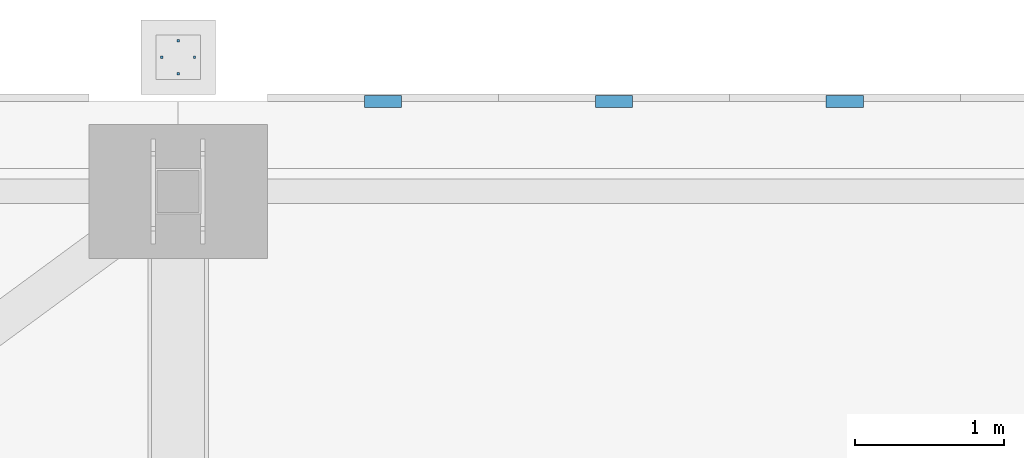
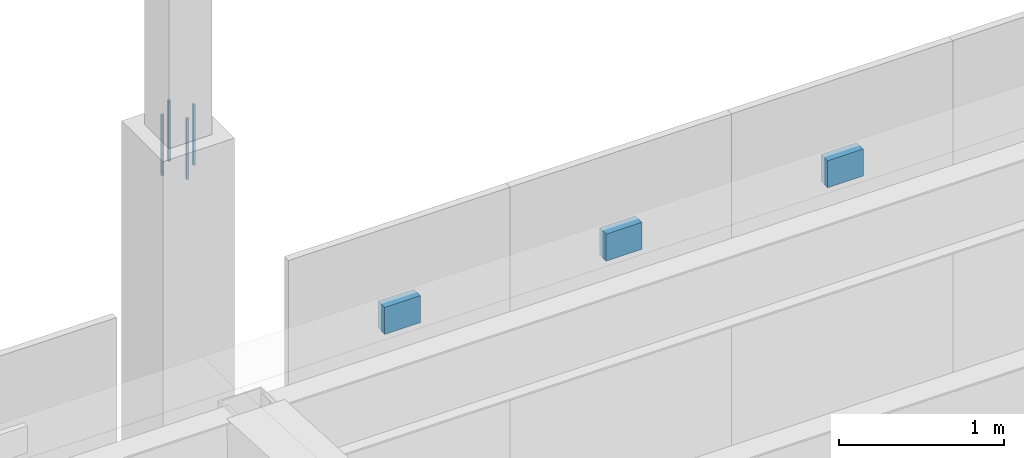
# One storey, part 243 of 278: 4 mechanical fasteners, 3 discrete accessories.
"""IFC4 building model written with IfcOpenShell, lengths in metres."""

from ifc_helpers import new_model, si_unit, direction, frame, origin, origin_2d, place, context, subcontext, project, spatial, rectangle, extrude, material, layer, layer_set, type_object, element, save


model = new_model("IFC4")

# Units and contexts
model_context = context("Model", 3, precision=1e-05, world=origin(), true_north=direction((0.0, 1.0)))
body_context = subcontext(model_context, "Body", "Model", "MODEL_VIEW")
ifc_project = project(units=[si_unit("LENGTHUNIT", "METRE"), si_unit("AREAUNIT", "SQUARE_METRE"), si_unit("VOLUMEUNIT", "CUBIC_METRE"), si_unit("PLANEANGLEUNIT", "RADIAN"), si_unit("MASSUNIT", "GRAM", prefix="KILO")], contexts=[model_context])

# Site, building, storey
site_placement = place(None, origin())
site = spatial("IfcSite", under=ifc_project, at=site_placement, CompositionType="ELEMENT")
building_placement = place(site_placement, origin())
building = spatial("IfcBuilding", under=site, at=building_placement, Name="Ogive Plaza Stadium", CompositionType="ELEMENT")
storey_placement = place(building_placement, frame((0.0, 0.0, 29.0)))
storey = spatial("IfcBuildingStorey", under=building, at=storey_placement, Name="Roof", CompositionType="ELEMENT", Elevation=29.0)

# Mechanical fasteners
ifc_material_1 = material(Name="Steel ASTM A992 Grade 50", Category="steel")
mechanical_fastener_type = type_object("IfcMechanicalFastenerType", Name="Spire anchor bolt M16 x 450", PredefinedType="ANCHORBOLT", material=ifc_material_1)
for number, where, z_axis, x_axis, name in (
    (1, (20.39990234375, 103.510009765625, 6.7001953125), (0.0, 0.0, 1.0), (0.0, 1.0, 0.0), "SPIRE ANCHOR BOLT 36 1"),
    (2, (20.39990234375, 103.2900390625, 6.7001953125), (0.0, 0.0, 1.0), (0.0, 1.0, 0.0), "SPIRE ANCHOR BOLT 36 2"),
    (3, (20.2900390625, 103.39990234375, 6.7001953125), (0.0, 0.0, 1.0), (0.0, 1.0, 0.0), "SPIRE ANCHOR BOLT 36 3"),
    (4, (20.510009765625, 103.39990234375, 6.7001953125), (0.0, 0.0, 1.0), (0.0, 1.0, 0.0), "SPIRE ANCHOR BOLT 36 4"),
):
    element("IfcMechanicalFastener", number, at=place(storey_placement, frame(where, z_axis=z_axis, x_axis=x_axis)), inside=storey, type_object=mechanical_fastener_type, Name=name, PredefinedType="ANCHORBOLT", context=body_context, shape_type="SweptSolid", body=[
        extrude(rectangle(XDim=0.01611328125, YDim=0.01611328125, at=origin_2d()), origin(), (0.0, 0.0, 1.0), 0.449951171875),
    ])

# Discrete accessories
ifc_material_2 = material(Name="Steel ASTM A572 Grade 50", Category="steel")
ifc_layer = layer(ifc_material_2, 0.080078125)
ifc_layer_set = layer_set([ifc_layer], Name="Steel ASTM A572 Grade 50")
discrete_accessory_type = type_object("IfcDiscreteAccessoryType", Name="Tracery screen bracket 250x200", PredefinedType="BRACKET", material=ifc_layer_set)
for number, where, z_axis, x_axis, name in (
    (5, (21.77490234375, 103.102294921875, 5.25), (0.0, 0.0, 1.0), (1.0, 0.0, 0.0), "TRACERY SCREEN BRACKET B36 1"),
    (6, (23.324951171875, 103.102294921875, 5.25), (0.0, 0.0, 1.0), (1.0, 0.0, 0.0), "TRACERY SCREEN BRACKET B36 2"),
    (7, (24.875, 103.102294921875, 5.25), (0.0, 0.0, 1.0), (1.0, 0.0, 0.0), "TRACERY SCREEN BRACKET B36 3"),
):
    element("IfcDiscreteAccessory", number, at=place(storey_placement, frame(where, z_axis=z_axis, x_axis=x_axis)), inside=storey, type_object=discrete_accessory_type, Name=name, PredefinedType="BRACKET", context=body_context, shape_type="SweptSolid", body=[
        extrude(rectangle(XDim=0.25, YDim=0.080078125, at=origin_2d()), origin(), (0.0, 0.0, 1.0), 0.199951171875),
    ])

save(model, "model.ifc")
